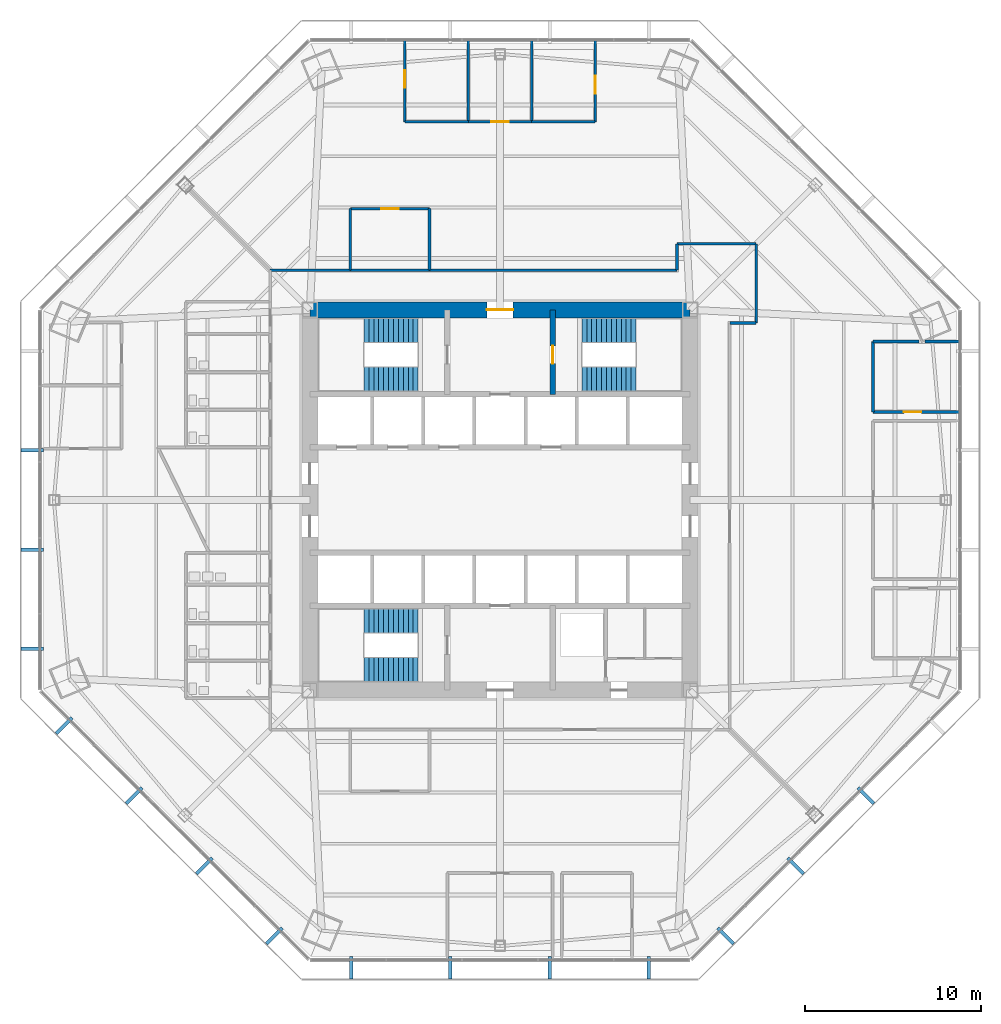
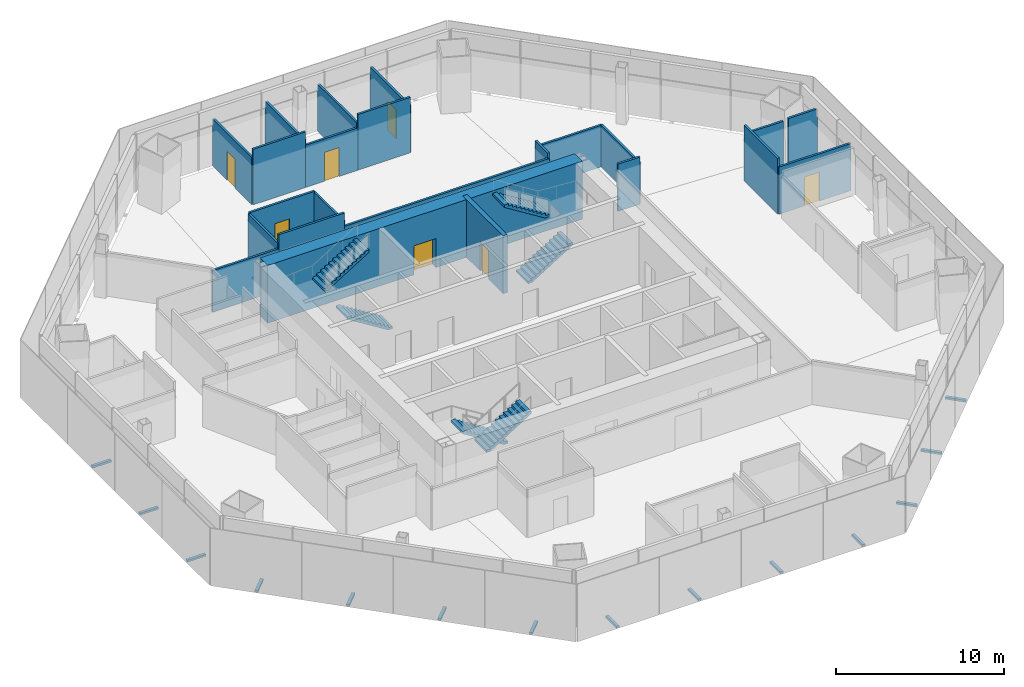
# One storey, part 11 of 15: 23 walls, 14 discrete accessories, 7 doors, 6 stair flights, 7 openings, 3 elements without a shape of their own.
"""IFC4 building model written with IfcOpenShell, lengths in metres."""

from ifc_helpers import new_model, si_unit, direction, frame, frame_2d, origin, origin_2d, place, context, subcontext, project, spatial, polyline, rectangle, outline, extrude, source, transform, mapped, material, layer, layer_set, type_object, type_shapes, element, fill, aggregate, save


model = new_model("IFC4")

# Units and contexts
model_context = context("Model", 3, precision=1e-05, world=origin(), true_north=direction((0.0, 1.0)))
body_context = subcontext(model_context, "Body", "Model", "MODEL_VIEW")
ifc_project = project(units=[si_unit("LENGTHUNIT", "METRE"), si_unit("AREAUNIT", "SQUARE_METRE"), si_unit("VOLUMEUNIT", "CUBIC_METRE"), si_unit("PLANEANGLEUNIT", "RADIAN"), si_unit("MASSUNIT", "GRAM", prefix="KILO")], contexts=[model_context])

# Site, building, storey
site_placement = place(None, origin())
site = spatial("IfcSite", under=ifc_project, at=site_placement, CompositionType="ELEMENT")
building_placement = place(site_placement, origin())
building = spatial("IfcBuilding", under=site, at=building_placement, Name="Mashrafa Tower", CompositionType="ELEMENT")
storey_placement = place(building_placement, frame((0.0, 0.0, 66.60009765625)))
storey = spatial("IfcBuildingStorey", under=building, at=storey_placement, Name="L14", CompositionType="ELEMENT", Elevation=66.60009765625)

# Wall, opening, door
ifc_material_1 = material(Name="Concrete C60/75", Category="concrete")
ifc_layer_1 = layer(ifc_material_1, 0.300048828125)
ifc_layer_set_1 = layer_set([ifc_layer_1], Name="Core wall 300 C60/75")
wall_type_1 = type_object("IfcWallType", Name="Core wall 300 C60/75", PredefinedType="SOLIDWALL", material=ifc_layer_set_1)
wall_1_placement = place(storey_placement, frame((3.0, 6.0, 0.0), z_axis=(0.0, 0.0, 1.0), x_axis=(0.0, 1.0, 0.0)))
wall_1 = element("IfcWall", 1, at=wall_1_placement, inside=storey, type_object=wall_type_1, Name="Core wall CX-NE L14", PredefinedType="SOLIDWALL", context=body_context, shape_type="SweptSolid", body=[
    extrude(rectangle(XDim=4.800048828125, YDim=0.300048828125, at=frame_2d((2.39990234375, 0.0))), origin(), (0.0, 0.0, 1.0), 4.199951171875),
])
opening_1_placement = place(wall_1_placement, frame((1.75, 0.0, 0.0)))
opening_1 = element("IfcOpeningElement", 2, at=opening_1_placement, cuts=wall_1, Name="Opening 14.031", PredefinedType="OPENING", context=body_context, shape_type="SweptSolid", body=[
    extrude(rectangle(XDim=1.0, YDim=2.10009765625, at=frame_2d((0.5, 1.050048828125))), frame((0.0, 0.159912109375, 0.0), z_axis=(0.0, -1.0, 0.0), x_axis=(1.0, 0.0, 0.0)), (0.0, 0.0, 1.0), 0.320068359375),
])
ifc_material_2 = material(Name="Steel door", Category="steel")
door_type_1 = type_object("IfcDoorType", Name="Stair door 1000 x 2100 90 min", OperationType="USERDEFINED", PredefinedType="DOOR", material=ifc_material_2)
door_1_placement = place(opening_1_placement, frame((1.0, 0.0, 0.0), z_axis=(0.0, 0.0, 1.0), x_axis=(-1.0, 0.0, 0.0)))
door_1 = element("IfcDoor", 3, at=door_1_placement, inside=storey, type_object=door_type_1, Name="Stair S2 door L14", OperationType="SINGLE_SWING_RIGHT", OverallHeight=2.10009765625, OverallWidth=1.0, PredefinedType="DOOR", context=body_context, shape_type="SweptSolid", body=[
    extrude(rectangle(XDim=1.0, YDim=2.10009765625, at=frame_2d((0.5, 1.050048828125))), frame((0.0, 0.02490234375, 0.0), z_axis=(0.0, -1.0, 0.0), x_axis=(1.0, 0.0, 0.0)), (0.0, 0.0, 1.0), 0.050048828125),
])
fill(opening_1, door_1)

ifc_material_3 = material(Name="Concrete C60/75", Category="concrete")
ifc_layer_2 = layer(ifc_material_3, 0.89990234375)
ifc_layer_set_2 = layer_set([ifc_layer_2], Name="Core wall 900 C60/75")
wall_type_2 = type_object("IfcWallType", Name="Core wall 900 C60/75", PredefinedType="SOLIDWALL", material=ifc_layer_set_2)
wall_2_placement = place(storey_placement, frame((10.800048828125, 10.800048828125, 0.0), z_axis=(0.0, 0.0, 1.0), x_axis=(-1.0, 0.0, 0.0)))
wall_2 = element("IfcWall", 4, at=wall_2_placement, inside=storey, type_object=wall_type_2, Name="Core wall CW-N L14", PredefinedType="SOLIDWALL", context=body_context, shape_type="SweptSolid", body=[
    extrude(rectangle(XDim=21.60009765625, YDim=0.89990234375, at=frame_2d((10.800048828125, 0.0))), origin(), (0.0, 0.0, 1.0), 4.199951171875),
])
opening_2_placement = place(wall_2_placement, frame((10.050048828125, 0.0, 0.0)))
opening_2 = element("IfcOpeningElement", 5, at=opening_2_placement, cuts=wall_2, Name="Opening 14.028", PredefinedType="OPENING", context=body_context, shape_type="SweptSolid", body=[
    extrude(rectangle(XDim=1.5, YDim=2.10009765625, at=frame_2d((0.75, 1.050048828125))), frame((0.0, 0.4599609375, 0.0), z_axis=(0.0, -1.0, 0.0), x_axis=(1.0, 0.0, 0.0)), (0.0, 0.0, 1.0), 0.919921875),
])
ifc_material_4 = material(Name="Steel door", Category="steel")
door_type_2 = type_object("IfcDoorType", Name="Lobby door pair 1500 x 2100 90 min", OperationType="DOUBLE_DOOR_SINGLE_SWING", PredefinedType="DOOR", material=ifc_material_4)
door_2_placement = place(opening_2_placement, origin())
door_2 = element("IfcDoor", 6, at=door_2_placement, inside=storey, type_object=door_type_2, Name="Fire-fighting lobby F1 door L14", OperationType="DOUBLE_DOOR_SINGLE_SWING", OverallHeight=2.10009765625, OverallWidth=1.5, PredefinedType="DOOR", context=body_context, shape_type="SweptSolid", body=[
    extrude(rectangle(XDim=1.5, YDim=2.10009765625, at=frame_2d((0.75, 1.050048828125))), frame((0.0, 0.02490234375, 0.0), z_axis=(0.0, -1.0, 0.0), x_axis=(1.0, 0.0, 0.0)), (0.0, 0.0, 1.0), 0.050048828125),
])
fill(opening_2, door_2)

# Walls
ifc_material_5 = material(Name="Gypsum board on steel studs", Category="steel")
ifc_layer_3 = layer(ifc_material_5, 0.14990234375)
ifc_layer_set_3 = layer_set([ifc_layer_3], Name="Corridor partition 150 1 hr")
wall_type_3 = type_object("IfcWallType", Name="Corridor partition 150 1 hr", PredefinedType="PARTITIONING", material=ifc_layer_set_3)
wall_3_placement = place(storey_placement, frame((-3.9990234375, 13.050048828125, 0.0), z_axis=(0.0, 0.0, 1.0), x_axis=(-1.0, 0.0, 0.0)))
element("IfcWall", 7, at=wall_3_placement, inside=storey, type_object=wall_type_3, Name="Corridor wall L14-010", PredefinedType="PARTITIONING", context=body_context, shape_type="SweptSolid", body=[
    extrude(rectangle(XDim=4.501953125, YDim=0.14990234375, at=frame_2d((2.2509765625, 0.0))), origin(), (0.0, 0.0, 1.0), 4.034912109375),
])
wall_4_placement = place(storey_placement, frame((-8.4990234375, 13.050048828125, 0.0), z_axis=(0.0, 0.0, 1.0), x_axis=(-1.0, 0.0, 0.0)))
element("IfcWall", 8, at=wall_4_placement, inside=storey, type_object=wall_type_3, Name="Corridor wall L14-012", PredefinedType="PARTITIONING", context=body_context, shape_type="SweptSolid", body=[
    extrude(rectangle(XDim=4.551025390625, YDim=0.14990234375, at=frame_2d((2.275390625, 0.0))), origin(), (0.0, 0.0, 1.0), 3.013916015625),
])
wall_5_placement = place(storey_placement, frame((13.050048828125, 10.050048828125, 0.0), z_axis=(0.0, 0.0, 1.0), x_axis=(1.0, 0.0, 0.0)))
element("IfcWall", 9, at=wall_5_placement, inside=storey, type_object=wall_type_3, Name="Corridor wall L14-014", PredefinedType="PARTITIONING", context=body_context, shape_type="SweptSolid", body=[
    extrude(rectangle(XDim=1.5, YDim=0.14990234375, at=frame_2d((0.75, 0.0))), origin(), (0.0, 0.0, 1.0), 3.4228515625),
])
for number, where, z_axis, x_axis, name in (
    (10, (14.550048828125, 10.050048828125, 0.0), (0.0, 0.0, 1.0), (0.0, 1.0, 0.0), "Corridor wall L14-015"),
    (11, (14.550048828125, 14.550048828125, 0.0), (0.0, 0.0, 1.0), (-1.0, 0.0, 0.0), "Corridor wall L14-016"),
):
    element("IfcWall", number, at=place(storey_placement, frame(where, z_axis=z_axis, x_axis=x_axis)), inside=storey, type_object=wall_type_3, Name=name, PredefinedType="PARTITIONING", context=body_context, shape_type="SweptSolid", body=[
        extrude(rectangle(XDim=4.5, YDim=0.14990234375, at=frame_2d((2.25, 0.0))), origin(), (0.0, 0.0, 1.0), 3.013916015625),
    ])
wall_6_placement = place(storey_placement, frame((10.050048828125, 14.550048828125, 0.0), z_axis=(0.0, 0.0, 1.0), x_axis=(0.0, -1.0, 0.0)))
element("IfcWall", 12, at=wall_6_placement, inside=storey, type_object=wall_type_3, Name="Corridor wall L14-017", PredefinedType="PARTITIONING", context=body_context, shape_type="SweptSolid", body=[
    extrude(rectangle(XDim=1.5, YDim=0.14990234375, at=frame_2d((0.75, 0.0))), origin(), (0.0, 0.0, 1.0), 3.4228515625),
])
wall_7_placement = place(storey_placement, frame((10.050048828125, 13.050048828125, 0.0), z_axis=(0.0, 0.0, 1.0), x_axis=(-1.0, 0.0, 0.0)))
element("IfcWall", 13, at=wall_7_placement, inside=storey, type_object=wall_type_3, Name="Corridor wall L14-018", PredefinedType="PARTITIONING", context=body_context, shape_type="SweptSolid", body=[
    extrude(rectangle(XDim=14.051025390625, YDim=0.14990234375, at=frame_2d((7.025390625, 0.0))), origin(), (0.0, 0.0, 1.0), 3.064697265625),
])
ifc_material_6 = material(Name="Gypsum board on steel studs", Category="steel")
ifc_layer_4 = layer(ifc_material_6, 0.14990234375)
ifc_layer_set_4 = layer_set([ifc_layer_4], Name="Partition 150")
wall_type_4 = type_object("IfcWallType", Name="Partition 150", PredefinedType="PARTITIONING", material=ifc_layer_set_4)
wall_8_placement = place(storey_placement, frame((-4.0, 13.050048828125, 0.0), z_axis=(0.0, 0.0, 1.0), x_axis=(0.0, 1.0, 0.0)))
element("IfcWall", 14, at=wall_8_placement, inside=storey, type_object=wall_type_4, Name="Partition wall L14-047", PredefinedType="PARTITIONING", context=body_context, shape_type="SweptSolid", body=[
    extrude(rectangle(XDim=3.5, YDim=0.14990234375, at=frame_2d((1.75, 0.0))), origin(), (0.0, 0.0, 1.0), 3.4228515625),
])

# Wall, opening, door
wall_9_placement = place(storey_placement, frame((-4.0, 16.550048828125, 0.0), z_axis=(0.0, 0.0, 1.0), x_axis=(-1.0, 0.0, 0.0)))
wall_9 = element("IfcWall", 15, at=wall_9_placement, inside=storey, type_object=wall_type_4, Name="Partition wall L14-048", PredefinedType="PARTITIONING", context=body_context, shape_type="SweptSolid", body=[
    extrude(rectangle(XDim=4.5, YDim=0.14990234375, at=frame_2d((2.25, 0.0))), origin(), (0.0, 0.0, 1.0), 3.49658203125),
])
opening_3_placement = place(wall_9_placement, frame((1.75, 0.0, 0.0)))
opening_3 = element("IfcOpeningElement", 16, at=opening_3_placement, cuts=wall_9, Name="Opening 14.011", PredefinedType="OPENING", context=body_context, shape_type="SweptSolid", body=[
    extrude(rectangle(XDim=1.0, YDim=2.10009765625, at=frame_2d((0.5, 1.050048828125))), frame((0.0, 0.0849609375, 0.0), z_axis=(0.0, -1.0, 0.0), x_axis=(1.0, 0.0, 0.0)), (0.0, 0.0, 1.0), 0.169921875),
])
ifc_material_7 = material(Name="Timber door", Category="wood")
door_type_3 = type_object("IfcDoorType", Name="Door 1000 x 2100", OperationType="USERDEFINED", PredefinedType="DOOR", material=ifc_material_7)
door_3_placement = place(opening_3_placement, origin())
door_3 = element("IfcDoor", 17, at=door_3_placement, inside=storey, type_object=door_type_3, Name="Pantry 14-A door", OperationType="SINGLE_SWING_LEFT", OverallHeight=2.10009765625, OverallWidth=1.0, PredefinedType="DOOR", context=body_context, shape_type="SweptSolid", body=[
    extrude(rectangle(XDim=1.0, YDim=2.10009765625, at=frame_2d((0.5, 1.050048828125))), frame((0.0, 0.02490234375, 0.0), z_axis=(0.0, -1.0, 0.0), x_axis=(1.0, 0.0, 0.0)), (0.0, 0.0, 1.0), 0.050048828125),
])
fill(opening_3, door_3)

# Walls
wall_10_placement = place(storey_placement, frame((-8.5, 16.550048828125, 0.0), z_axis=(0.0, 0.0, 1.0), x_axis=(0.0, -1.0, 0.0)))
element("IfcWall", 18, at=wall_10_placement, inside=storey, type_object=wall_type_4, Name="Partition wall L14-049", PredefinedType="PARTITIONING", context=body_context, shape_type="SweptSolid", body=[
    extrude(rectangle(XDim=3.5, YDim=0.14990234375, at=frame_2d((1.75, 0.0))), origin(), (0.0, 0.0, 1.0), 3.4228515625),
])
wall_11_placement = place(storey_placement, frame((1.800048828125, 26.11279296875, 0.0), z_axis=(0.0, 0.0, 1.0), x_axis=(0.0, -1.0, 0.0)))
element("IfcWall", 19, at=wall_11_placement, inside=storey, type_object=wall_type_4, Name="Partition wall L14-056", PredefinedType="PARTITIONING", context=body_context, shape_type="SweptSolid", body=[
    extrude(rectangle(XDim=4.632080078125, YDim=0.14990234375, at=frame_2d((2.31591796875, 0.0))), origin(), (0.0, 0.0, 1.0), 3.4228515625),
])
wall_12_placement = place(storey_placement, frame((1.800048828125, 21.480712890625, 0.0), z_axis=(0.0, 0.0, 1.0), x_axis=(1.0, 0.0, 0.0)))
element("IfcWall", 20, at=wall_12_placement, inside=storey, type_object=wall_type_4, Name="Partition wall L14-057", PredefinedType="PARTITIONING", context=body_context, shape_type="SweptSolid", body=[
    extrude(rectangle(XDim=3.599853515625, YDim=0.14990234375, at=frame_2d((1.7998046875, 0.0))), origin(), (0.0, 0.0, 1.0), 4.034912109375),
])

# Wall, opening, door
wall_13_placement = place(storey_placement, frame((5.39990234375, 21.480712890625, 0.0), z_axis=(0.0, 0.0, 1.0), x_axis=(0.0, 1.0, 0.0)))
wall_13 = element("IfcWall", 21, at=wall_13_placement, inside=storey, type_object=wall_type_4, Name="Partition wall L14-058", PredefinedType="PARTITIONING", context=body_context, shape_type="SweptSolid", body=[
    extrude(rectangle(XDim=4.634033203125, YDim=0.14990234375, at=frame_2d((2.31689453125, 0.0))), origin(), (0.0, 0.0, 1.0), 3.4228515625),
])
opening_4_placement = place(wall_13_placement, frame((1.60009765625, 0.0, 0.0)))
opening_4 = element("IfcOpeningElement", 22, at=opening_4_placement, cuts=wall_13, Name="Opening 14.014", PredefinedType="OPENING", context=body_context, shape_type="SweptSolid", body=[
    extrude(rectangle(XDim=1.0, YDim=2.10009765625, at=frame_2d((0.5, 1.050048828125))), frame((0.0, 0.0849609375, 0.0), z_axis=(0.0, -1.0, 0.0), x_axis=(1.0, 0.0, 0.0)), (0.0, 0.0, 1.0), 0.169921875),
])
door_4_placement = place(opening_4_placement, origin())
door_4 = element("IfcDoor", 23, at=door_4_placement, inside=storey, type_object=door_type_3, Name="Office 14-A-1 door", OperationType="SINGLE_SWING_RIGHT", OverallHeight=2.10009765625, OverallWidth=1.0, PredefinedType="DOOR", context=body_context, shape_type="SweptSolid", body=[
    extrude(rectangle(XDim=1.0, YDim=2.10009765625, at=frame_2d((0.5, 1.050048828125))), frame((0.0, 0.02490234375, 0.0), z_axis=(0.0, -1.0, 0.0), x_axis=(1.0, 0.0, 0.0)), (0.0, 0.0, 1.0), 0.050048828125),
])
fill(opening_4, door_4)

# Wall
wall_14_placement = place(storey_placement, frame((-1.800048828125, 26.11279296875, 0.0), z_axis=(0.0, 0.0, 1.0), x_axis=(0.0, -1.0, 0.0)))
element("IfcWall", 24, at=wall_14_placement, inside=storey, type_object=wall_type_4, Name="Partition wall L14-059", PredefinedType="PARTITIONING", context=body_context, shape_type="SweptSolid", body=[
    extrude(rectangle(XDim=4.632080078125, YDim=0.14990234375, at=frame_2d((2.31591796875, 0.0))), origin(), (0.0, 0.0, 1.0), 3.4228515625),
])

# Wall, opening, door
wall_15_placement = place(storey_placement, frame((-1.800048828125, 21.480712890625, 0.0), z_axis=(0.0, 0.0, 1.0), x_axis=(1.0, 0.0, 0.0)))
wall_15 = element("IfcWall", 25, at=wall_15_placement, inside=storey, type_object=wall_type_4, Name="Partition wall L14-060", PredefinedType="PARTITIONING", context=body_context, shape_type="SweptSolid", body=[
    extrude(rectangle(XDim=3.60009765625, YDim=0.14990234375, at=frame_2d((1.800048828125, 0.0))), origin(), (0.0, 0.0, 1.0), 3.064697265625),
])
opening_5_placement = place(wall_15_placement, frame((1.300048828125, 0.0, 0.0)))
opening_5 = element("IfcOpeningElement", 26, at=opening_5_placement, cuts=wall_15, Name="Opening 14.015", PredefinedType="OPENING", context=body_context, shape_type="SweptSolid", body=[
    extrude(rectangle(XDim=1.0, YDim=2.10009765625, at=frame_2d((0.5, 1.050048828125))), frame((0.0, 0.0849609375, 0.0), z_axis=(0.0, -1.0, 0.0), x_axis=(1.0, 0.0, 0.0)), (0.0, 0.0, 1.0), 0.169921875),
])
door_5_placement = place(opening_5_placement, origin())
door_5 = element("IfcDoor", 27, at=door_5_placement, inside=storey, type_object=door_type_3, Name="Office 14-A-2 door", OperationType="SINGLE_SWING_LEFT", OverallHeight=2.10009765625, OverallWidth=1.0, PredefinedType="DOOR", context=body_context, shape_type="SweptSolid", body=[
    extrude(rectangle(XDim=1.0, YDim=2.10009765625, at=frame_2d((0.5, 1.050048828125))), frame((0.0, 0.02490234375, 0.0), z_axis=(0.0, -1.0, 0.0), x_axis=(1.0, 0.0, 0.0)), (0.0, 0.0, 1.0), 0.050048828125),
])
fill(opening_5, door_5)

wall_16_placement = place(storey_placement, frame((-5.39990234375, 26.11474609375, 0.0), z_axis=(0.0, 0.0, 1.0), x_axis=(0.0, -1.0, 0.0)))
wall_16 = element("IfcWall", 28, at=wall_16_placement, inside=storey, type_object=wall_type_4, Name="Partition wall L14-061", PredefinedType="PARTITIONING", context=body_context, shape_type="SweptSolid", body=[
    extrude(rectangle(XDim=4.634033203125, YDim=0.14990234375, at=frame_2d((2.31689453125, 0.0))), origin(), (0.0, 0.0, 1.0), 3.4228515625),
])
opening_6_placement = place(wall_16_placement, frame((1.698974609375, 0.0, 0.0)))
opening_6 = element("IfcOpeningElement", 29, at=opening_6_placement, cuts=wall_16, Name="Opening 14.016", PredefinedType="OPENING", context=body_context, shape_type="SweptSolid", body=[
    extrude(rectangle(XDim=1.0, YDim=2.10009765625, at=frame_2d((0.5, 1.050048828125))), frame((0.0, 0.0849609375, 0.0), z_axis=(0.0, -1.0, 0.0), x_axis=(1.0, 0.0, 0.0)), (0.0, 0.0, 1.0), 0.169921875),
])
door_6_placement = place(opening_6_placement, origin())
door_6 = element("IfcDoor", 30, at=door_6_placement, inside=storey, type_object=door_type_3, Name="Office 14-A-3 door", OperationType="SINGLE_SWING_LEFT", OverallHeight=2.10009765625, OverallWidth=1.0, PredefinedType="DOOR", context=body_context, shape_type="SweptSolid", body=[
    extrude(rectangle(XDim=1.0, YDim=2.10009765625, at=frame_2d((0.5, 1.050048828125))), frame((0.0, 0.02490234375, 0.0), z_axis=(0.0, -1.0, 0.0), x_axis=(1.0, 0.0, 0.0)), (0.0, 0.0, 1.0), 0.050048828125),
])
fill(opening_6, door_6)

# Walls
wall_17_placement = place(storey_placement, frame((-5.39990234375, 21.480712890625, 0.0), z_axis=(0.0, 0.0, 1.0), x_axis=(1.0, 0.0, 0.0)))
element("IfcWall", 31, at=wall_17_placement, inside=storey, type_object=wall_type_4, Name="Partition wall L14-062", PredefinedType="PARTITIONING", context=body_context, shape_type="SweptSolid", body=[
    extrude(rectangle(XDim=3.599853515625, YDim=0.14990234375, at=frame_2d((1.7998046875, 0.0))), origin(), (0.0, 0.0, 1.0), 4.034912109375),
])
wall_18_placement = place(storey_placement, frame((26.11279296875, 9.0, 0.0), z_axis=(0.0, 0.0, 1.0), x_axis=(-1.0, 0.0, 0.0)))
element("IfcWall", 32, at=wall_18_placement, inside=storey, type_object=wall_type_4, Name="Partition wall L14-068", PredefinedType="PARTITIONING", context=body_context, shape_type="SweptSolid", body=[
    extrude(rectangle(XDim=1.9833984375, YDim=0.14990234375, at=frame_2d((0.99169921875, 0.0))), origin(), (0.0, 0.0, 1.0), 3.49658203125),
])
wall_19_placement = place(storey_placement, frame((23.78564453125, 9.0, 0.0), z_axis=(0.0, 0.0, 1.0), x_axis=(-1.0, 0.0, 0.0)))
element("IfcWall", 33, at=wall_19_placement, inside=storey, type_object=wall_type_4, Name="Partition wall L14-069", PredefinedType="PARTITIONING", context=body_context, shape_type="SweptSolid", body=[
    extrude(rectangle(XDim=2.60498046875, YDim=0.14990234375, at=frame_2d((1.302490234375, 0.0))), origin(), (0.0, 0.0, 1.0), 3.4228515625),
])
wall_20_placement = place(storey_placement, frame((21.1806640625, 9.0, 0.0), z_axis=(0.0, 0.0, 1.0), x_axis=(0.0, -1.0, 0.0)))
element("IfcWall", 34, at=wall_20_placement, inside=storey, type_object=wall_type_4, Name="Partition wall L14-070", PredefinedType="PARTITIONING", context=body_context, shape_type="SweptSolid", body=[
    extrude(rectangle(XDim=4.0, YDim=0.14990234375, at=frame_2d((2.0, 0.0))), origin(), (0.0, 0.0, 1.0), 4.034912109375),
])

# Wall, opening, door
wall_21_placement = place(storey_placement, frame((21.1806640625, 5.0, 0.0), z_axis=(0.0, 0.0, 1.0), x_axis=(1.0, 0.0, 0.0)))
wall_21 = element("IfcWall", 35, at=wall_21_placement, inside=storey, type_object=wall_type_4, Name="Partition wall L14-071", PredefinedType="PARTITIONING", context=body_context, shape_type="SweptSolid", body=[
    extrude(rectangle(XDim=4.93408203125, YDim=0.14990234375, at=frame_2d((2.467041015625, 0.0))), origin(), (0.0, 0.0, 1.0), 3.4228515625),
])
opening_7_placement = place(wall_21_placement, frame((1.75, 0.0, 0.0)))
opening_7 = element("IfcOpeningElement", 36, at=opening_7_placement, cuts=wall_21, Name="Opening 14.019", PredefinedType="OPENING", context=body_context, shape_type="SweptSolid", body=[
    extrude(rectangle(XDim=1.0, YDim=2.10009765625, at=frame_2d((0.5, 1.050048828125))), frame((0.0, 0.0849609375, 0.0), z_axis=(0.0, -1.0, 0.0), x_axis=(1.0, 0.0, 0.0)), (0.0, 0.0, 1.0), 0.169921875),
])
door_7_placement = place(opening_7_placement, origin())
door_7 = element("IfcDoor", 37, at=door_7_placement, inside=storey, type_object=door_type_3, Name="Project Meeting Room 14-A1 door", OperationType="SINGLE_SWING_RIGHT", OverallHeight=2.10009765625, OverallWidth=1.0, PredefinedType="DOOR", context=body_context, shape_type="SweptSolid", body=[
    extrude(rectangle(XDim=1.0, YDim=2.10009765625, at=frame_2d((0.5, 1.050048828125))), frame((0.0, 0.02490234375, 0.0), z_axis=(0.0, -1.0, 0.0), x_axis=(1.0, 0.0, 0.0)), (0.0, 0.0, 1.0), 0.050048828125),
])
fill(opening_7, door_7)

# Stair, stair flights
ifc_material_8 = material(Name="Exit stair 1400")
stair_type = type_object("IfcStairType", Name="Exit stair 1400", PredefinedType="HALF_TURN_STAIR", material=ifc_material_8)
stair_1_placement = place(storey_placement, origin())
stair_1 = element("IfcStair", 38, at=stair_1_placement, inside=storey, type_object=stair_type, Name="Stair S1 L14", PredefinedType="HALF_TURN_STAIR")
ifc_material_9 = material(Name="Concrete C32/40", Category="concrete")
stair_flight_type = type_object("IfcStairFlightType", Name="Stair flight 1400", PredefinedType="STRAIGHT", material=ifc_material_9)
stair_flight_1_placement = place(storey_placement, frame((-4.64990234375, 6.85009765625, 0.0), z_axis=(0.0, 0.0, 1.0), x_axis=(-1.0, 0.0, 0.0)))
stair_flight_1 = element("IfcStairFlight", 39, at=stair_flight_1_placement, type_object=stair_flight_type, Name="S1 flight 1", NumberOfRisers=12, NumberOfTreads=11, PredefinedType="STRAIGHT", RiserHeight=0.175, TreadLength=0.28, context=body_context, shape_type="SweptSolid", body=[
    extrude(outline(polyline([(0.0, 0.0), (0.0, 0.175048828125), (0.280029296875, 0.175048828125), (0.280029296875, 0.35009765625), (0.56005859375, 0.35009765625), (0.56005859375, 0.52490234375), (0.840087890625, 0.52490234375), (0.840087890625, 0.699951171875), (1.1201171875, 0.699951171875), (1.1201171875, 0.875), (1.39990234375, 0.875), (1.39990234375, 1.050048828125), (1.679931640625, 1.050048828125), (1.679931640625, 1.22509765625), (1.9599609375, 1.22509765625), (1.9599609375, 1.39990234375), (2.239990234375, 1.39990234375), (2.239990234375, 1.574951171875), (2.52001953125, 1.574951171875), (2.52001953125, 1.75), (2.800048828125, 1.75), (2.800048828125, 1.925048828125), (3.080078125, 1.925048828125), (3.080078125, 2.10009765625), (3.080078125, 1.748291015625), (0.28271484375, 0.0), (0.0, 0.0)])), frame((0.0, 0.699951171875, 0.0), z_axis=(0.0, -1.0, 0.0), x_axis=(1.0, 0.0, 0.0)), (0.0, 0.0, 1.0), 1.39990234375),
])
stair_flight_2_placement = place(storey_placement, frame((-7.72998046875, 9.64990234375, 2.099853515625), z_axis=(0.0, 0.0, 1.0), x_axis=(1.0, 0.0, 0.0)))
stair_flight_2 = element("IfcStairFlight", 40, at=stair_flight_2_placement, type_object=stair_flight_type, Name="S1 flight 2", NumberOfRisers=12, NumberOfTreads=11, PredefinedType="STRAIGHT", RiserHeight=0.175, TreadLength=0.28, context=body_context, shape_type="SweptSolid", body=[
    extrude(outline(polyline([(0.0, 0.0), (0.0, 0.175048828125), (0.280029296875, 0.175048828125), (0.280029296875, 0.35009765625), (0.56005859375, 0.35009765625), (0.56005859375, 0.52490234375), (0.840087890625, 0.52490234375), (0.840087890625, 0.699951171875), (1.1201171875, 0.699951171875), (1.1201171875, 0.875), (1.39990234375, 0.875), (1.39990234375, 1.050048828125), (1.679931640625, 1.050048828125), (1.679931640625, 1.22509765625), (1.9599609375, 1.22509765625), (1.9599609375, 1.39990234375), (2.239990234375, 1.39990234375), (2.239990234375, 1.574951171875), (2.52001953125, 1.574951171875), (2.52001953125, 1.75), (2.800048828125, 1.75), (2.800048828125, 1.925048828125), (3.080078125, 1.925048828125), (3.080078125, 2.10009765625), (3.080078125, 1.748291015625), (0.28271484375, 0.0), (0.0, 0.0)])), frame((0.0, 0.699951171875, 0.0), z_axis=(0.0, -1.0, 0.0), x_axis=(1.0, 0.0, 0.0)), (0.0, 0.0, 1.0), 1.39990234375),
])
aggregate(stair_1, [stair_flight_1, stair_flight_2])

stair_2_placement = place(storey_placement, origin())
stair_2 = element("IfcStair", 41, at=stair_2_placement, inside=storey, type_object=stair_type, Name="Stair S2 L14", PredefinedType="HALF_TURN_STAIR")
stair_flight_3_placement = place(storey_placement, frame((4.64990234375, 6.85009765625, 0.0), z_axis=(0.0, 0.0, 1.0), x_axis=(1.0, 0.0, 0.0)))
stair_flight_3 = element("IfcStairFlight", 42, at=stair_flight_3_placement, type_object=stair_flight_type, Name="S2 flight 1", NumberOfRisers=12, NumberOfTreads=11, PredefinedType="STRAIGHT", RiserHeight=0.175, TreadLength=0.28, context=body_context, shape_type="SweptSolid", body=[
    extrude(outline(polyline([(0.0, 0.0), (0.0, 0.175048828125), (0.280029296875, 0.175048828125), (0.280029296875, 0.35009765625), (0.56005859375, 0.35009765625), (0.56005859375, 0.52490234375), (0.840087890625, 0.52490234375), (0.840087890625, 0.699951171875), (1.1201171875, 0.699951171875), (1.1201171875, 0.875), (1.39990234375, 0.875), (1.39990234375, 1.050048828125), (1.679931640625, 1.050048828125), (1.679931640625, 1.22509765625), (1.9599609375, 1.22509765625), (1.9599609375, 1.39990234375), (2.239990234375, 1.39990234375), (2.239990234375, 1.574951171875), (2.52001953125, 1.574951171875), (2.52001953125, 1.75), (2.800048828125, 1.75), (2.800048828125, 1.925048828125), (3.080078125, 1.925048828125), (3.080078125, 2.10009765625), (3.080078125, 1.748291015625), (0.28271484375, 0.0), (0.0, 0.0)])), frame((0.0, 0.699951171875, 0.0), z_axis=(0.0, -1.0, 0.0), x_axis=(1.0, 0.0, 0.0)), (0.0, 0.0, 1.0), 1.39990234375),
])
stair_flight_4_placement = place(storey_placement, frame((7.72998046875, 9.64990234375, 2.099853515625), z_axis=(0.0, 0.0, 1.0), x_axis=(-1.0, 0.0, 0.0)))
stair_flight_4 = element("IfcStairFlight", 43, at=stair_flight_4_placement, type_object=stair_flight_type, Name="S2 flight 2", NumberOfRisers=12, NumberOfTreads=11, PredefinedType="STRAIGHT", RiserHeight=0.175, TreadLength=0.28, context=body_context, shape_type="SweptSolid", body=[
    extrude(outline(polyline([(0.0, 0.0), (0.0, 0.175048828125), (0.280029296875, 0.175048828125), (0.280029296875, 0.35009765625), (0.56005859375, 0.35009765625), (0.56005859375, 0.52490234375), (0.840087890625, 0.52490234375), (0.840087890625, 0.699951171875), (1.1201171875, 0.699951171875), (1.1201171875, 0.875), (1.39990234375, 0.875), (1.39990234375, 1.050048828125), (1.679931640625, 1.050048828125), (1.679931640625, 1.22509765625), (1.9599609375, 1.22509765625), (1.9599609375, 1.39990234375), (2.239990234375, 1.39990234375), (2.239990234375, 1.574951171875), (2.52001953125, 1.574951171875), (2.52001953125, 1.75), (2.800048828125, 1.75), (2.800048828125, 1.925048828125), (3.080078125, 1.925048828125), (3.080078125, 2.10009765625), (3.080078125, 1.748291015625), (0.28271484375, 0.0), (0.0, 0.0)])), frame((0.0, 0.699951171875, 0.0), z_axis=(0.0, -1.0, 0.0), x_axis=(1.0, 0.0, 0.0)), (0.0, 0.0, 1.0), 1.39990234375),
])
aggregate(stair_2, [stair_flight_3, stair_flight_4])

stair_3_placement = place(storey_placement, origin())
stair_3 = element("IfcStair", 44, at=stair_3_placement, inside=storey, type_object=stair_type, Name="Stair S3 L14", PredefinedType="HALF_TURN_STAIR")
stair_flight_5_placement = place(storey_placement, frame((-4.64990234375, -6.85009765625, 0.0), z_axis=(0.0, 0.0, 1.0), x_axis=(-1.0, 0.0, 0.0)))
stair_flight_5 = element("IfcStairFlight", 45, at=stair_flight_5_placement, type_object=stair_flight_type, Name="S3 flight 1", NumberOfRisers=12, NumberOfTreads=11, PredefinedType="STRAIGHT", RiserHeight=0.175, TreadLength=0.28, context=body_context, shape_type="SweptSolid", body=[
    extrude(outline(polyline([(0.0, 0.0), (0.0, 0.175048828125), (0.280029296875, 0.175048828125), (0.280029296875, 0.35009765625), (0.56005859375, 0.35009765625), (0.56005859375, 0.52490234375), (0.840087890625, 0.52490234375), (0.840087890625, 0.699951171875), (1.1201171875, 0.699951171875), (1.1201171875, 0.875), (1.39990234375, 0.875), (1.39990234375, 1.050048828125), (1.679931640625, 1.050048828125), (1.679931640625, 1.22509765625), (1.9599609375, 1.22509765625), (1.9599609375, 1.39990234375), (2.239990234375, 1.39990234375), (2.239990234375, 1.574951171875), (2.52001953125, 1.574951171875), (2.52001953125, 1.75), (2.800048828125, 1.75), (2.800048828125, 1.925048828125), (3.080078125, 1.925048828125), (3.080078125, 2.10009765625), (3.080078125, 1.748291015625), (0.28271484375, 0.0), (0.0, 0.0)])), frame((0.0, 0.699951171875, 0.0), z_axis=(0.0, -1.0, 0.0), x_axis=(1.0, 0.0, 0.0)), (0.0, 0.0, 1.0), 1.39990234375),
])
stair_flight_6_placement = place(storey_placement, frame((-7.72998046875, -9.64990234375, 2.099853515625), z_axis=(0.0, 0.0, 1.0), x_axis=(1.0, 0.0, 0.0)))
stair_flight_6 = element("IfcStairFlight", 46, at=stair_flight_6_placement, type_object=stair_flight_type, Name="S3 flight 2", NumberOfRisers=12, NumberOfTreads=11, PredefinedType="STRAIGHT", RiserHeight=0.175, TreadLength=0.28, context=body_context, shape_type="SweptSolid", body=[
    extrude(outline(polyline([(0.0, 0.0), (0.0, 0.175048828125), (0.280029296875, 0.175048828125), (0.280029296875, 0.35009765625), (0.56005859375, 0.35009765625), (0.56005859375, 0.52490234375), (0.840087890625, 0.52490234375), (0.840087890625, 0.699951171875), (1.1201171875, 0.699951171875), (1.1201171875, 0.875), (1.39990234375, 0.875), (1.39990234375, 1.050048828125), (1.679931640625, 1.050048828125), (1.679931640625, 1.22509765625), (1.9599609375, 1.22509765625), (1.9599609375, 1.39990234375), (2.239990234375, 1.39990234375), (2.239990234375, 1.574951171875), (2.52001953125, 1.574951171875), (2.52001953125, 1.75), (2.800048828125, 1.75), (2.800048828125, 1.925048828125), (3.080078125, 1.925048828125), (3.080078125, 2.10009765625), (3.080078125, 1.748291015625), (0.28271484375, 0.0), (0.0, 0.0)])), frame((0.0, 0.699951171875, 0.0), z_axis=(0.0, -1.0, 0.0), x_axis=(1.0, 0.0, 0.0)), (0.0, 0.0, 1.0), 1.39990234375),
])
aggregate(stair_3, [stair_flight_5, stair_flight_6])

# Discrete accessories
ifc_material_10 = material(Name="Stainless steel screen bracket", Category="steel")
discrete_accessory_type = type_object("IfcDiscreteAccessoryType", Name="Screen support bracket 200 x 150", PredefinedType="BRACKET", material=ifc_material_10)
shared_shape = source(origin(), body_context, "Body", "SweptSolid", [
    extrude(rectangle(XDim=0.199951171875, YDim=1.27001953125, at=origin_2d()), origin(), (0.0, 0.0, 1.0), 0.14990234375),
])
type_shapes(discrete_accessory_type, [shared_shape])
for number, where, z_axis, x_axis, name in (
    (47, (-26.565673828125, 2.814208984375, -0.150146484375), (0.0, 0.0, 1.0), (0.0, -1.0, 0.0), "Screen support bracket L14 west 2"),
    (48, (-26.565673828125, -2.814208984375, -0.150146484375), (0.0, 0.0, 1.0), (0.0, -1.0, 0.0), "Screen support bracket L14 west 3"),
    (49, (-26.565673828125, -8.442626953125, -0.150146484375), (0.0, 0.0, 1.0), (0.0, -1.0, 0.0), "Screen support bracket L14 west 4"),
    (50, (-24.754638671875, -12.81494140625, -0.150146484375), (0.0, 0.0, 1.0), (0.707106781187, -0.707106781187, 0.0), "Screen support bracket L14 south-west 1"),
    (51, (-20.774658203125, -16.794921875, -0.150146484375), (0.0, 0.0, 1.0), (0.707106781187, -0.707106781187, 0.0), "Screen support bracket L14 south-west 2"),
    (52, (-16.794921875, -20.774658203125, -0.150146484375), (0.0, 0.0, 1.0), (0.707106781187, -0.707106781187, 0.0), "Screen support bracket L14 south-west 3"),
    (53, (-12.81494140625, -24.754638671875, -0.150146484375), (0.0, 0.0, 1.0), (0.707106781187, -0.707106781187, 0.0), "Screen support bracket L14 south-west 4"),
    (54, (-8.442626953125, -26.565673828125, -0.150146484375), (0.0, 0.0, 1.0), (1.0, 0.0, 0.0), "Screen support bracket L14 south 1"),
    (55, (-2.814208984375, -26.565673828125, -0.150146484375), (0.0, 0.0, 1.0), (1.0, 0.0, 0.0), "Screen support bracket L14 south 2"),
    (56, (2.814208984375, -26.565673828125, -0.150146484375), (0.0, 0.0, 1.0), (1.0, 0.0, 0.0), "Screen support bracket L14 south 3"),
    (57, (8.442626953125, -26.565673828125, -0.150146484375), (0.0, 0.0, 1.0), (1.0, 0.0, 0.0), "Screen support bracket L14 south 4"),
    (58, (12.81494140625, -24.754638671875, -0.150146484375), (0.0, 0.0, 1.0), (0.707106781187, 0.707106781187, 0.0), "Screen support bracket L14 south-east 1"),
    (59, (16.794921875, -20.774658203125, -0.150146484375), (0.0, 0.0, 1.0), (0.707106781187, 0.707106781187, 0.0), "Screen support bracket L14 south-east 2"),
    (60, (20.774658203125, -16.794921875, -0.150146484375), (0.0, 0.0, 1.0), (0.707106781187, 0.707106781187, 0.0), "Screen support bracket L14 south-east 3"),
):
    element("IfcDiscreteAccessory", number, at=place(storey_placement, frame(where, z_axis=z_axis, x_axis=x_axis)), inside=storey, type_object=discrete_accessory_type, Name=name, PredefinedType="BRACKET", context=body_context, shape_type="MappedRepresentation", body=[
        mapped(shared_shape, transform((0.0, 0.0, 0.0))),
    ])

save(model, "model.ifc")
